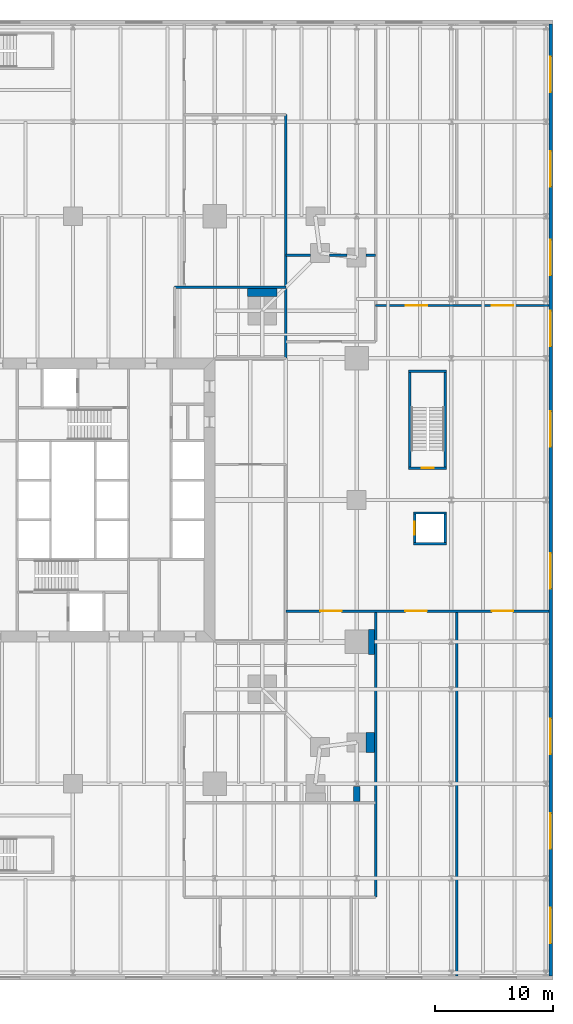
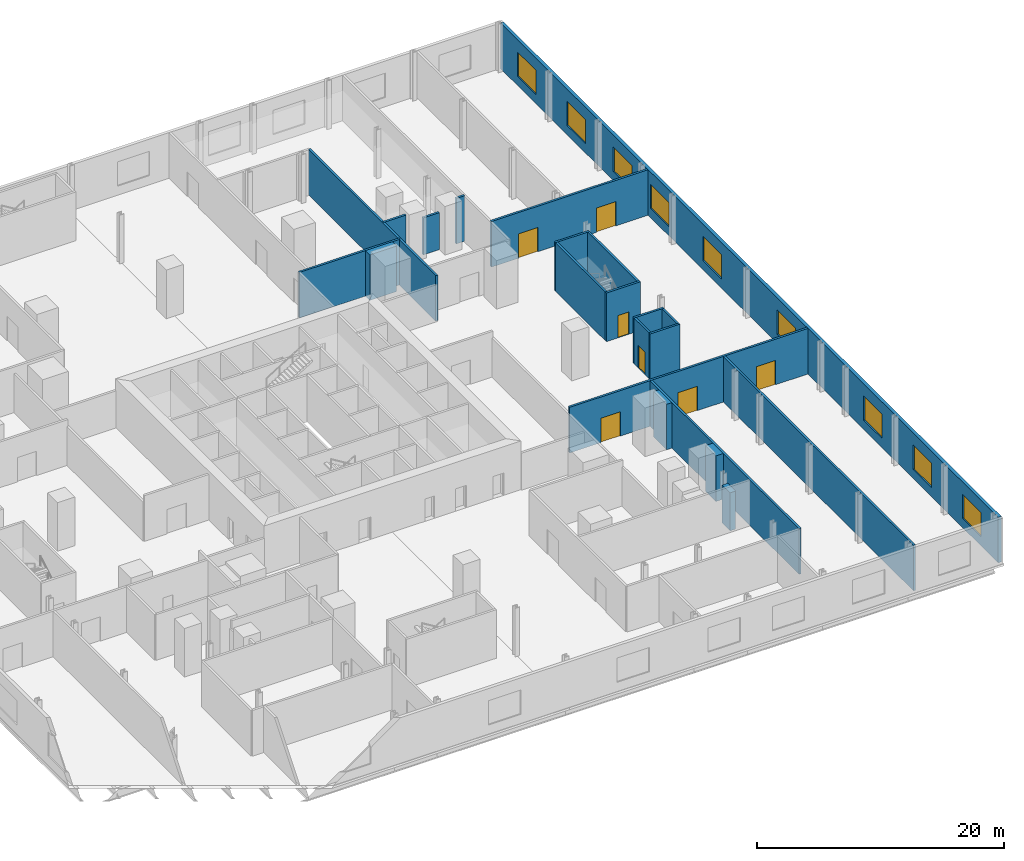
# One storey, part 13 of 16: 22 walls, 9 windows, 7 doors, 16 openings.
"""IFC4 building model written with IfcOpenShell, lengths in metres."""

from ifc_helpers import new_model, si_unit, direction, frame, frame_2d, origin, place, context, subcontext, project, spatial, rectangle, extrude, material, layer, layer_set, type_object, element, fill, save


model = new_model("IFC4")

# Units and contexts
model_context = context("Model", 3, precision=1e-05, world=origin(), true_north=direction((0.0, 1.0)))
body_context = subcontext(model_context, "Body", "Model", "MODEL_VIEW")
ifc_project = project(units=[si_unit("LENGTHUNIT", "METRE"), si_unit("AREAUNIT", "SQUARE_METRE"), si_unit("VOLUMEUNIT", "CUBIC_METRE"), si_unit("PLANEANGLEUNIT", "RADIAN"), si_unit("MASSUNIT", "GRAM", prefix="KILO")], contexts=[model_context])

# Site, building, storey
site_placement = place(None, origin())
site = spatial("IfcSite", under=ifc_project, at=site_placement, CompositionType="ELEMENT")
building_placement = place(site_placement, origin())
building = spatial("IfcBuilding", under=site, at=building_placement, Name="Fenwick Lantern Interchange", CompositionType="ELEMENT")
storey_placement = place(building_placement, frame((0.0, 0.0, 7.0)))
storey = spatial("IfcBuildingStorey", under=building, at=storey_placement, Name="L01", CompositionType="ELEMENT", Elevation=7.0)

# Walls
ifc_material_1 = material(Name="Fire-rated gypsum board encasement on steel studs, 2 hour", Category="steel")
ifc_layer_1 = layer(ifc_material_1, 1.699951171875)
ifc_layer_set_1 = layer_set([ifc_layer_1], Name="COLUMN PIER 1700")
wall_type_1 = type_object("IfcWallType", Name="COLUMN PIER 1700", PredefinedType="PARTITIONING", material=ifc_layer_set_1)
wall_1_placement = place(storey_placement, frame((50.5, 4.5, 0.0), z_axis=(0.0, 0.0, 1.0), x_axis=(-1.0, 0.0, 0.0)))
element("IfcWall", 1, at=wall_1_placement, inside=storey, type_object=wall_type_1, Name="L01/W/PIER/CE1", PredefinedType="PARTITIONING", context=body_context, shape_type="SweptSolid", body=[
    extrude(rectangle(XDim=0.699951171875, YDim=1.699951171875, at=frame_2d((0.35009765625, 0.0))), origin(), (0.0, 0.0, 1.0), 4.5),
])
ifc_layer_2 = layer(ifc_material_1, 2.10009765625)
ifc_layer_set_2 = layer_set([ifc_layer_2], Name="COLUMN PIER 2100")
wall_type_2 = type_object("IfcWallType", Name="COLUMN PIER 2100", PredefinedType="PARTITIONING", material=ifc_layer_set_2)
wall_2_placement = place(storey_placement, frame((50.5, 13.0, 0.0), z_axis=(0.0, 0.0, 1.0), x_axis=(-1.0, 0.0, 0.0)))
element("IfcWall", 2, at=wall_2_placement, inside=storey, type_object=wall_type_2, Name="L01/W/PIER/CE2", PredefinedType="PARTITIONING", context=body_context, shape_type="SweptSolid", body=[
    extrude(rectangle(XDim=0.5, YDim=2.10009765625, at=frame_2d((0.25, 0.0))), origin(), (0.0, 0.0, 1.0), 4.5),
])
ifc_layer_3 = layer(ifc_material_1, 2.5)
ifc_layer_set_3 = layer_set([ifc_layer_3], Name="COLUMN PIER 2500")
wall_type_3 = type_object("IfcWallType", Name="COLUMN PIER 2500", PredefinedType="PARTITIONING", material=ifc_layer_set_3)
wall_3_placement = place(storey_placement, frame((41.0, 42.89990234375, 0.0), z_axis=(0.0, 0.0, 1.0), x_axis=(0.0, -1.0, 0.0)))
element("IfcWall", 3, at=wall_3_placement, inside=storey, type_object=wall_type_3, Name="L01/W/PIER/M3", PredefinedType="PARTITIONING", context=body_context, shape_type="SweptSolid", body=[
    extrude(rectangle(XDim=0.699951171875, YDim=2.5, at=frame_2d((0.35009765625, 0.0))), origin(), (0.0, 0.0, 1.0), 4.5),
])
ifc_layer_4 = layer(ifc_material_1, 0.51708984375)
ifc_layer_set_4 = layer_set([ifc_layer_4], Name="COLUMN PIER 517")
wall_type_4 = type_object("IfcWallType", Name="COLUMN PIER 517", PredefinedType="PARTITIONING", material=ifc_layer_set_4)
wall_4_placement = place(storey_placement, frame((49.0, -0.5, 0.0), z_axis=(0.0, 0.0, 1.0), x_axis=(0.0, 1.0, 0.0)))
element("IfcWall", 4, at=wall_4_placement, inside=storey, type_object=wall_type_4, Name="L01/W/PIER/PC9", PredefinedType="PARTITIONING", context=body_context, shape_type="SweptSolid", body=[
    extrude(rectangle(XDim=1.27783203125, YDim=0.51708984375, at=frame_2d((0.638916015625, 0.0))), origin(), (0.0, 0.0, 1.0), 3.754150390625),
])
ifc_material_2 = material(Name="Concrete masonry ASTM C90 Grade N", Category="masonry")
ifc_layer_5 = layer(ifc_material_2, 0.199951171875)
ifc_layer_set_5 = layer_set([ifc_layer_5], Name="Concrete masonry ASTM C90 Grade N")
wall_type_5 = type_object("IfcWallType", Name="LIFT SHAFT WALL 200", PredefinedType="PARTITIONING", material=ifc_layer_set_5)
wall_5_placement = place(storey_placement, frame((53.800048828125, 21.300048828125, 0.0), z_axis=(0.0, 0.0, 1.0), x_axis=(1.0, 0.0, 0.0)))
element("IfcWall", 5, at=wall_5_placement, inside=storey, type_object=wall_type_5, Name="L01/W/PL2/S", PredefinedType="PARTITIONING", context=body_context, shape_type="SweptSolid", body=[
    extrude(rectangle(XDim=2.800048828125, YDim=0.199951171875, at=frame_2d((1.39990234375, 0.0))), origin(), (0.0, 0.0, 1.0), 4.5),
])
wall_6_placement = place(storey_placement, frame((56.5, 21.39990234375, 0.0), z_axis=(0.0, 0.0, 1.0), x_axis=(0.0, 1.0, 0.0)))
element("IfcWall", 6, at=wall_6_placement, inside=storey, type_object=wall_type_5, Name="L01/W/PL2/E", PredefinedType="PARTITIONING", context=body_context, shape_type="SweptSolid", body=[
    extrude(rectangle(XDim=2.400146484375, YDim=0.199951171875, at=frame_2d((1.2001953125, 0.0))), origin(), (0.0, 0.0, 1.0), 4.5),
])
wall_7_placement = place(storey_placement, frame((56.60009765625, 23.89990234375, 0.0), z_axis=(0.0, 0.0, 1.0), x_axis=(-1.0, 0.0, 0.0)))
element("IfcWall", 7, at=wall_7_placement, inside=storey, type_object=wall_type_5, Name="L01/W/PL2/N", PredefinedType="PARTITIONING", context=body_context, shape_type="SweptSolid", body=[
    extrude(rectangle(XDim=2.800048828125, YDim=0.199951171875, at=frame_2d((1.39990234375, 0.0))), origin(), (0.0, 0.0, 1.0), 4.5),
])

# Wall, opening, door
wall_8_placement = place(storey_placement, frame((53.89990234375, 23.800048828125, 0.0), z_axis=(0.0, 0.0, 1.0), x_axis=(0.0, -1.0, 0.0)))
wall_8 = element("IfcWall", 8, at=wall_8_placement, inside=storey, type_object=wall_type_5, Name="L01/W/PL2/W", PredefinedType="PARTITIONING", context=body_context, shape_type="SweptSolid", body=[
    extrude(rectangle(XDim=2.400146484375, YDim=0.199951171875, at=frame_2d((1.2001953125, 0.0))), origin(), (0.0, 0.0, 1.0), 4.5),
])
opening_1_placement = place(wall_8_placement, frame((0.64990234375, 0.0, 0.0)))
opening_1 = element("IfcOpeningElement", 9, at=opening_1_placement, cuts=wall_8, Name="Opening LD-PL2", PredefinedType="OPENING", context=body_context, shape_type="SweptSolid", body=[
    extrude(rectangle(XDim=1.10009765625, YDim=2.199951171875, at=frame_2d((0.550048828125, 1.10009765625))), frame((0.0, 0.10986328125, 0.0), z_axis=(0.0, -1.0, 0.0), x_axis=(1.0, 0.0, 0.0)), (0.0, 0.0, 1.0), 0.219970703125),
])
ifc_material_3 = material(Name="Steel door and frame", Category="steel")
door_type_1 = type_object("IfcDoorType", Name="LIFT LANDING DOOR 1100 X 2200", OperationType="DOUBLE_DOOR_SLIDING", PredefinedType="DOOR", material=ifc_material_3)
door_1_placement = place(opening_1_placement, origin())
door_1 = element("IfcDoor", 10, at=door_1_placement, inside=storey, type_object=door_type_1, Name="Lift landing door PL2", OperationType="DOUBLE_DOOR_SLIDING", OverallHeight=2.199951171875, OverallWidth=1.10009765625, PredefinedType="DOOR", context=body_context, shape_type="SweptSolid", body=[
    extrude(rectangle(XDim=1.10009765625, YDim=2.199951171875, at=frame_2d((0.550048828125, 1.10009765625))), frame((0.0, 0.02490234375, 0.0), z_axis=(0.0, -1.0, 0.0), x_axis=(1.0, 0.0, 0.0)), (0.0, 0.0, 1.0), 0.050048828125),
])
fill(opening_1, door_1)

# Wall, openings, windows
ifc_material_4 = material(Name="Limestone ASTM C568 Classification II", Category="masonry")
ifc_layer_6 = layer(ifc_material_4, 0.074951171875)
ifc_material_5 = material(Name="Mineral wool insulation")
ifc_layer_7 = layer(ifc_material_5, 0.125)
ifc_material_6 = material(Name="Cold-formed galvanised steel studs", Category="steel")
ifc_layer_8 = layer(ifc_material_6, 0.10009765625)
ifc_layer_set_6 = layer_set([ifc_layer_6, ifc_layer_7, ifc_layer_8], Name="Limestone ASTM C568 Classification II")
wall_type_6 = type_object("IfcWallType", Name="LIMESTONE RAINSCREEN WALL 300", PredefinedType="SOLIDWALL", material=ifc_layer_set_6)
wall_9_placement = place(storey_placement, frame((65.39990234375, -15.25, 0.0), z_axis=(0.0, 0.0, 1.0), x_axis=(0.0, 1.0, 0.0)))
wall_9 = element("IfcWall", 11, at=wall_9_placement, inside=storey, type_object=wall_type_6, Name="L01/EW/E", PredefinedType="SOLIDWALL", context=body_context, shape_type="SweptSolid", body=[
    extrude(rectangle(XDim=80.5, YDim=0.300048828125, at=frame_2d((40.25, 0.0))), origin(), (0.0, 0.0, 1.0), 4.5),
])
opening_2_placement = place(wall_9_placement, frame((2.75, 0.0, 0.89990234375)))
opening_2 = element("IfcOpeningElement", 12, at=opening_2_placement, cuts=wall_9, Name="Opening W1", PredefinedType="OPENING", context=body_context, shape_type="SweptSolid", body=[
    extrude(rectangle(XDim=3.0, YDim=2.39990234375, at=frame_2d((1.5, 1.199951171875))), frame((0.0, 0.159912109375, 0.0), z_axis=(0.0, -1.0, 0.0), x_axis=(1.0, 0.0, 0.0)), (0.0, 0.0, 1.0), 0.320068359375),
])
opening_3_placement = place(wall_9_placement, frame((10.75, 0.0, 0.89990234375)))
opening_3 = element("IfcOpeningElement", 13, at=opening_3_placement, cuts=wall_9, Name="Opening W1", PredefinedType="OPENING", context=body_context, shape_type="SweptSolid", body=[
    extrude(rectangle(XDim=3.0, YDim=2.39990234375, at=frame_2d((1.5, 1.199951171875))), frame((0.0, 0.159912109375, 0.0), z_axis=(0.0, -1.0, 0.0), x_axis=(1.0, 0.0, 0.0)), (0.0, 0.0, 1.0), 0.320068359375),
])
opening_4_placement = place(wall_9_placement, frame((18.75, 0.0, 0.89990234375)))
opening_4 = element("IfcOpeningElement", 14, at=opening_4_placement, cuts=wall_9, Name="Opening W1", PredefinedType="OPENING", context=body_context, shape_type="SweptSolid", body=[
    extrude(rectangle(XDim=3.0, YDim=2.39990234375, at=frame_2d((1.5, 1.199951171875))), frame((0.0, 0.159912109375, 0.0), z_axis=(0.0, -1.0, 0.0), x_axis=(1.0, 0.0, 0.0)), (0.0, 0.0, 1.0), 0.320068359375),
])
opening_5_placement = place(wall_9_placement, frame((32.75, 0.0, 0.89990234375)))
opening_5 = element("IfcOpeningElement", 15, at=opening_5_placement, cuts=wall_9, Name="Opening W1", PredefinedType="OPENING", context=body_context, shape_type="SweptSolid", body=[
    extrude(rectangle(XDim=3.0, YDim=2.39990234375, at=frame_2d((1.5, 1.199951171875))), frame((0.0, 0.159912109375, 0.0), z_axis=(0.0, -1.0, 0.0), x_axis=(1.0, 0.0, 0.0)), (0.0, 0.0, 1.0), 0.320068359375),
])
opening_6_placement = place(wall_9_placement, frame((44.75, 0.0, 0.89990234375)))
opening_6 = element("IfcOpeningElement", 16, at=opening_6_placement, cuts=wall_9, Name="Opening W1", PredefinedType="OPENING", context=body_context, shape_type="SweptSolid", body=[
    extrude(rectangle(XDim=3.0, YDim=2.39990234375, at=frame_2d((1.5, 1.199951171875))), frame((0.0, 0.159912109375, 0.0), z_axis=(0.0, -1.0, 0.0), x_axis=(1.0, 0.0, 0.0)), (0.0, 0.0, 1.0), 0.320068359375),
])
opening_7_placement = place(wall_9_placement, frame((53.25, 0.0, 0.89990234375)))
opening_7 = element("IfcOpeningElement", 17, at=opening_7_placement, cuts=wall_9, Name="Opening W1", PredefinedType="OPENING", context=body_context, shape_type="SweptSolid", body=[
    extrude(rectangle(XDim=3.0, YDim=2.39990234375, at=frame_2d((1.5, 1.199951171875))), frame((0.0, 0.159912109375, 0.0), z_axis=(0.0, -1.0, 0.0), x_axis=(1.0, 0.0, 0.0)), (0.0, 0.0, 1.0), 0.320068359375),
])
opening_8_placement = place(wall_9_placement, frame((59.25, 0.0, 0.89990234375)))
opening_8 = element("IfcOpeningElement", 18, at=opening_8_placement, cuts=wall_9, Name="Opening W1", PredefinedType="OPENING", context=body_context, shape_type="SweptSolid", body=[
    extrude(rectangle(XDim=3.0, YDim=2.39990234375, at=frame_2d((1.5, 1.199951171875))), frame((0.0, 0.159912109375, 0.0), z_axis=(0.0, -1.0, 0.0), x_axis=(1.0, 0.0, 0.0)), (0.0, 0.0, 1.0), 0.320068359375),
])
opening_9_placement = place(wall_9_placement, frame((66.75, 0.0, 0.89990234375)))
opening_9 = element("IfcOpeningElement", 19, at=opening_9_placement, cuts=wall_9, Name="Opening W1", PredefinedType="OPENING", context=body_context, shape_type="SweptSolid", body=[
    extrude(rectangle(XDim=3.0, YDim=2.39990234375, at=frame_2d((1.5, 1.199951171875))), frame((0.0, 0.159912109375, 0.0), z_axis=(0.0, -1.0, 0.0), x_axis=(1.0, 0.0, 0.0)), (0.0, 0.0, 1.0), 0.320068359375),
])
opening_10_placement = place(wall_9_placement, frame((74.75, 0.0, 0.89990234375)))
opening_10 = element("IfcOpeningElement", 20, at=opening_10_placement, cuts=wall_9, Name="Opening W1", PredefinedType="OPENING", context=body_context, shape_type="SweptSolid", body=[
    extrude(rectangle(XDim=3.0, YDim=2.39990234375, at=frame_2d((1.5, 1.199951171875))), frame((0.0, 0.159912109375, 0.0), z_axis=(0.0, -1.0, 0.0), x_axis=(1.0, 0.0, 0.0)), (0.0, 0.0, 1.0), 0.320068359375),
])
ifc_material_7 = material(Name="Aluminium window, clear glass", Category="aluminium")
window_type = type_object("IfcWindowType", Name="PODIUM WINDOW 3000 X 2400", PartitioningType="SINGLE_PANEL", PredefinedType="WINDOW", material=ifc_material_7)
window_1_placement = place(opening_2_placement, origin())
window_1 = element("IfcWindow", 21, at=window_1_placement, inside=storey, type_object=window_type, Name="Podium window", OverallHeight=2.39990234375, OverallWidth=3.0, PartitioningType="SINGLE_PANEL", PredefinedType="WINDOW", context=body_context, shape_type="SweptSolid", body=[
    extrude(rectangle(XDim=3.0, YDim=2.39990234375, at=frame_2d((1.5, 1.199951171875))), frame((0.0, 0.030029296875, 0.0), z_axis=(0.0, -1.0, 0.0), x_axis=(1.0, 0.0, 0.0)), (0.0, 0.0, 1.0), 0.06005859375),
])
fill(opening_2, window_1)
window_2_placement = place(opening_3_placement, origin())
window_2 = element("IfcWindow", 22, at=window_2_placement, inside=storey, type_object=window_type, Name="Podium window", OverallHeight=2.39990234375, OverallWidth=3.0, PartitioningType="SINGLE_PANEL", PredefinedType="WINDOW", context=body_context, shape_type="SweptSolid", body=[
    extrude(rectangle(XDim=3.0, YDim=2.39990234375, at=frame_2d((1.5, 1.199951171875))), frame((0.0, 0.030029296875, 0.0), z_axis=(0.0, -1.0, 0.0), x_axis=(1.0, 0.0, 0.0)), (0.0, 0.0, 1.0), 0.06005859375),
])
fill(opening_3, window_2)
window_3_placement = place(opening_4_placement, origin())
window_3 = element("IfcWindow", 23, at=window_3_placement, inside=storey, type_object=window_type, Name="Podium window", OverallHeight=2.39990234375, OverallWidth=3.0, PartitioningType="SINGLE_PANEL", PredefinedType="WINDOW", context=body_context, shape_type="SweptSolid", body=[
    extrude(rectangle(XDim=3.0, YDim=2.39990234375, at=frame_2d((1.5, 1.199951171875))), frame((0.0, 0.030029296875, 0.0), z_axis=(0.0, -1.0, 0.0), x_axis=(1.0, 0.0, 0.0)), (0.0, 0.0, 1.0), 0.06005859375),
])
fill(opening_4, window_3)
window_4_placement = place(opening_5_placement, origin())
window_4 = element("IfcWindow", 24, at=window_4_placement, inside=storey, type_object=window_type, Name="Podium window", OverallHeight=2.39990234375, OverallWidth=3.0, PartitioningType="SINGLE_PANEL", PredefinedType="WINDOW", context=body_context, shape_type="SweptSolid", body=[
    extrude(rectangle(XDim=3.0, YDim=2.39990234375, at=frame_2d((1.5, 1.199951171875))), frame((0.0, 0.030029296875, 0.0), z_axis=(0.0, -1.0, 0.0), x_axis=(1.0, 0.0, 0.0)), (0.0, 0.0, 1.0), 0.06005859375),
])
fill(opening_5, window_4)
window_5_placement = place(opening_6_placement, origin())
window_5 = element("IfcWindow", 25, at=window_5_placement, inside=storey, type_object=window_type, Name="Podium window", OverallHeight=2.39990234375, OverallWidth=3.0, PartitioningType="SINGLE_PANEL", PredefinedType="WINDOW", context=body_context, shape_type="SweptSolid", body=[
    extrude(rectangle(XDim=3.0, YDim=2.39990234375, at=frame_2d((1.5, 1.199951171875))), frame((0.0, 0.030029296875, 0.0), z_axis=(0.0, -1.0, 0.0), x_axis=(1.0, 0.0, 0.0)), (0.0, 0.0, 1.0), 0.06005859375),
])
fill(opening_6, window_5)
window_6_placement = place(opening_7_placement, origin())
window_6 = element("IfcWindow", 26, at=window_6_placement, inside=storey, type_object=window_type, Name="Podium window", OverallHeight=2.39990234375, OverallWidth=3.0, PartitioningType="SINGLE_PANEL", PredefinedType="WINDOW", context=body_context, shape_type="SweptSolid", body=[
    extrude(rectangle(XDim=3.0, YDim=2.39990234375, at=frame_2d((1.5, 1.199951171875))), frame((0.0, 0.030029296875, 0.0), z_axis=(0.0, -1.0, 0.0), x_axis=(1.0, 0.0, 0.0)), (0.0, 0.0, 1.0), 0.06005859375),
])
fill(opening_7, window_6)
window_7_placement = place(opening_8_placement, origin())
window_7 = element("IfcWindow", 27, at=window_7_placement, inside=storey, type_object=window_type, Name="Podium window", OverallHeight=2.39990234375, OverallWidth=3.0, PartitioningType="SINGLE_PANEL", PredefinedType="WINDOW", context=body_context, shape_type="SweptSolid", body=[
    extrude(rectangle(XDim=3.0, YDim=2.39990234375, at=frame_2d((1.5, 1.199951171875))), frame((0.0, 0.030029296875, 0.0), z_axis=(0.0, -1.0, 0.0), x_axis=(1.0, 0.0, 0.0)), (0.0, 0.0, 1.0), 0.06005859375),
])
fill(opening_8, window_7)
window_8_placement = place(opening_9_placement, origin())
window_8 = element("IfcWindow", 28, at=window_8_placement, inside=storey, type_object=window_type, Name="Podium window", OverallHeight=2.39990234375, OverallWidth=3.0, PartitioningType="SINGLE_PANEL", PredefinedType="WINDOW", context=body_context, shape_type="SweptSolid", body=[
    extrude(rectangle(XDim=3.0, YDim=2.39990234375, at=frame_2d((1.5, 1.199951171875))), frame((0.0, 0.030029296875, 0.0), z_axis=(0.0, -1.0, 0.0), x_axis=(1.0, 0.0, 0.0)), (0.0, 0.0, 1.0), 0.06005859375),
])
fill(opening_9, window_8)
window_9_placement = place(opening_10_placement, origin())
window_9 = element("IfcWindow", 29, at=window_9_placement, inside=storey, type_object=window_type, Name="Podium window", OverallHeight=2.39990234375, OverallWidth=3.0, PartitioningType="SINGLE_PANEL", PredefinedType="WINDOW", context=body_context, shape_type="SweptSolid", body=[
    extrude(rectangle(XDim=3.0, YDim=2.39990234375, at=frame_2d((1.5, 1.199951171875))), frame((0.0, 0.030029296875, 0.0), z_axis=(0.0, -1.0, 0.0), x_axis=(1.0, 0.0, 0.0)), (0.0, 0.0, 1.0), 0.06005859375),
])
fill(opening_10, window_9)

# Walls
ifc_material_8 = material(Name="Gypsum board on steel studs, 1 hour", Category="steel")
ifc_layer_9 = layer(ifc_material_8, 0.199951171875)
ifc_layer_set_7 = layer_set([ifc_layer_9], Name="ROOM WALL 200")
wall_type_7 = type_object("IfcWallType", Name="ROOM WALL 200", PredefinedType="PARTITIONING", material=ifc_layer_set_7)
wall_10_placement = place(storey_placement, frame((43.0, 37.0, 0.0), z_axis=(0.0, 0.0, 1.0), x_axis=(0.0, 1.0, 0.0)))
element("IfcWall", 30, at=wall_10_placement, inside=storey, type_object=wall_type_7, Name="L01/W/POD/X43-2", PredefinedType="PARTITIONING", context=body_context, shape_type="SweptSolid", body=[
    extrude(rectangle(XDim=20.60009765625, YDim=0.199951171875, at=frame_2d((10.300048828125, 0.0))), origin(), (0.0, 0.0, 1.0), 4.5),
])
wall_11_placement = place(storey_placement, frame((50.60009765625, -8.60009765625, 0.0), z_axis=(0.0, 0.0, 1.0), x_axis=(0.0, 1.0, 0.0)))
element("IfcWall", 31, at=wall_11_placement, inside=storey, type_object=wall_type_7, Name="L01/W/POD/X50.6-1", PredefinedType="PARTITIONING", context=body_context, shape_type="SweptSolid", body=[
    extrude(rectangle(XDim=24.2001953125, YDim=0.199951171875, at=frame_2d((12.10009765625, 0.0))), origin(), (0.0, 0.0, 1.0), 4.5),
])
wall_12_placement = place(storey_placement, frame((57.449951171875, -15.25, 0.0), z_axis=(0.0, 0.0, 1.0), x_axis=(0.0, 1.0, 0.0)))
element("IfcWall", 32, at=wall_12_placement, inside=storey, type_object=wall_type_7, Name="L01/W/POD/X57.45-1", PredefinedType="PARTITIONING", context=body_context, shape_type="SweptSolid", body=[
    extrude(rectangle(XDim=30.85009765625, YDim=0.199951171875, at=frame_2d((15.425048828125, 0.0))), origin(), (0.0, 0.0, 1.0), 4.5),
])

# Wall, openings, doors
wall_13_placement = place(storey_placement, frame((43.0, 15.60009765625, 0.0), z_axis=(0.0, 0.0, 1.0), x_axis=(1.0, 0.0, 0.0)))
wall_13 = element("IfcWall", 33, at=wall_13_placement, inside=storey, type_object=wall_type_7, Name="L01/W/POD/Y15.6-1", PredefinedType="PARTITIONING", context=body_context, shape_type="SweptSolid", body=[
    extrude(rectangle(XDim=22.25, YDim=0.199951171875, at=frame_2d((11.125, 0.0))), origin(), (0.0, 0.0, 1.0), 4.5),
])
opening_11_placement = place(wall_13_placement, frame((10.125, 0.0, 0.0)))
opening_11 = element("IfcOpeningElement", 34, at=opening_11_placement, cuts=wall_13, Name="Opening L01-D033", PredefinedType="OPENING", context=body_context, shape_type="SweptSolid", body=[
    extrude(rectangle(XDim=1.800048828125, YDim=2.39990234375, at=frame_2d((0.89990234375, 1.199951171875))), frame((0.0, 0.10986328125, 0.0), z_axis=(0.0, -1.0, 0.0), x_axis=(1.0, 0.0, 0.0)), (0.0, 0.0, 1.0), 0.219970703125),
])
opening_12_placement = place(wall_13_placement, frame((17.425048828125, 0.0, 0.0)))
opening_12 = element("IfcOpeningElement", 35, at=opening_12_placement, cuts=wall_13, Name="Opening L01-D034", PredefinedType="OPENING", context=body_context, shape_type="SweptSolid", body=[
    extrude(rectangle(XDim=1.800048828125, YDim=2.39990234375, at=frame_2d((0.89990234375, 1.199951171875))), frame((0.0, 0.10986328125, 0.0), z_axis=(0.0, -1.0, 0.0), x_axis=(1.0, 0.0, 0.0)), (0.0, 0.0, 1.0), 0.219970703125),
])
opening_13_placement = place(wall_13_placement, frame((2.925048828125, 0.0, 0.0)))
opening_13 = element("IfcOpeningElement", 36, at=opening_13_placement, cuts=wall_13, Name="Opening L01-D035", PredefinedType="OPENING", context=body_context, shape_type="SweptSolid", body=[
    extrude(rectangle(XDim=1.800048828125, YDim=2.39990234375, at=frame_2d((0.89990234375, 1.199951171875))), frame((0.0, 0.10986328125, 0.0), z_axis=(0.0, -1.0, 0.0), x_axis=(1.0, 0.0, 0.0)), (0.0, 0.0, 1.0), 0.219970703125),
])
door_type_2 = type_object("IfcDoorType", Name="ROOM DOOR PAIR 1800 X 2400", OperationType="DOUBLE_DOOR_SINGLE_SWING", PredefinedType="DOOR", material=ifc_material_3)
door_2_placement = place(opening_11_placement, origin())
door_2 = element("IfcDoor", 37, at=door_2_placement, inside=storey, type_object=door_type_2, Name="Room door pair", OperationType="DOUBLE_DOOR_SINGLE_SWING", OverallHeight=2.39990234375, OverallWidth=1.800048828125, PredefinedType="DOOR", context=body_context, shape_type="SweptSolid", body=[
    extrude(rectangle(XDim=1.800048828125, YDim=2.39990234375, at=frame_2d((0.89990234375, 1.199951171875))), frame((0.0, 0.02490234375, 0.0), z_axis=(0.0, -1.0, 0.0), x_axis=(1.0, 0.0, 0.0)), (0.0, 0.0, 1.0), 0.050048828125),
])
fill(opening_11, door_2)
door_3_placement = place(opening_12_placement, origin())
door_3 = element("IfcDoor", 38, at=door_3_placement, inside=storey, type_object=door_type_2, Name="Room door pair", OperationType="DOUBLE_DOOR_SINGLE_SWING", OverallHeight=2.39990234375, OverallWidth=1.800048828125, PredefinedType="DOOR", context=body_context, shape_type="SweptSolid", body=[
    extrude(rectangle(XDim=1.800048828125, YDim=2.39990234375, at=frame_2d((0.89990234375, 1.199951171875))), frame((0.0, 0.02490234375, 0.0), z_axis=(0.0, -1.0, 0.0), x_axis=(1.0, 0.0, 0.0)), (0.0, 0.0, 1.0), 0.050048828125),
])
fill(opening_12, door_3)
door_4_placement = place(opening_13_placement, origin())
door_4 = element("IfcDoor", 39, at=door_4_placement, inside=storey, type_object=door_type_2, Name="Room door pair", OperationType="DOUBLE_DOOR_SINGLE_SWING", OverallHeight=2.39990234375, OverallWidth=1.800048828125, PredefinedType="DOOR", context=body_context, shape_type="SweptSolid", body=[
    extrude(rectangle(XDim=1.800048828125, YDim=2.39990234375, at=frame_2d((0.89990234375, 1.199951171875))), frame((0.0, 0.02490234375, 0.0), z_axis=(0.0, -1.0, 0.0), x_axis=(1.0, 0.0, 0.0)), (0.0, 0.0, 1.0), 0.050048828125),
])
fill(opening_13, door_4)

wall_14_placement = place(storey_placement, frame((50.60009765625, 41.449951171875, 0.0), z_axis=(0.0, 0.0, 1.0), x_axis=(1.0, 0.0, 0.0)))
wall_14 = element("IfcWall", 40, at=wall_14_placement, inside=storey, type_object=wall_type_7, Name="L01/W/POD/Y41.45-1", PredefinedType="PARTITIONING", context=body_context, shape_type="SweptSolid", body=[
    extrude(rectangle(XDim=14.64990234375, YDim=0.199951171875, at=frame_2d((7.324951171875, 0.0))), origin(), (0.0, 0.0, 1.0), 4.5),
])
opening_14_placement = place(wall_14_placement, frame((2.550048828125, 0.0, 0.0)))
opening_14 = element("IfcOpeningElement", 41, at=opening_14_placement, cuts=wall_14, Name="Opening L01-D038", PredefinedType="OPENING", context=body_context, shape_type="SweptSolid", body=[
    extrude(rectangle(XDim=1.800048828125, YDim=2.39990234375, at=frame_2d((0.89990234375, 1.199951171875))), frame((0.0, 0.10986328125, 0.0), z_axis=(0.0, -1.0, 0.0), x_axis=(1.0, 0.0, 0.0)), (0.0, 0.0, 1.0), 0.219970703125),
])
opening_15_placement = place(wall_14_placement, frame((9.824951171875, 0.0, 0.0)))
opening_15 = element("IfcOpeningElement", 42, at=opening_15_placement, cuts=wall_14, Name="Opening L01-D039", PredefinedType="OPENING", context=body_context, shape_type="SweptSolid", body=[
    extrude(rectangle(XDim=1.800048828125, YDim=2.39990234375, at=frame_2d((0.89990234375, 1.199951171875))), frame((0.0, 0.10986328125, 0.0), z_axis=(0.0, -1.0, 0.0), x_axis=(1.0, 0.0, 0.0)), (0.0, 0.0, 1.0), 0.219970703125),
])
door_5_placement = place(opening_14_placement, frame((1.800048828125, 0.0, 0.0), z_axis=(0.0, 0.0, 1.0), x_axis=(-1.0, 0.0, 0.0)))
door_5 = element("IfcDoor", 43, at=door_5_placement, inside=storey, type_object=door_type_2, Name="Room door pair", OperationType="DOUBLE_DOOR_SINGLE_SWING", OverallHeight=2.39990234375, OverallWidth=1.800048828125, PredefinedType="DOOR", context=body_context, shape_type="SweptSolid", body=[
    extrude(rectangle(XDim=1.800048828125, YDim=2.39990234375, at=frame_2d((0.89990234375, 1.199951171875))), frame((0.0, 0.02490234375, 0.0), z_axis=(0.0, -1.0, 0.0), x_axis=(1.0, 0.0, 0.0)), (0.0, 0.0, 1.0), 0.050048828125),
])
fill(opening_14, door_5)
door_6_placement = place(opening_15_placement, frame((1.800048828125, 0.0, 0.0), z_axis=(0.0, 0.0, 1.0), x_axis=(-1.0, 0.0, 0.0)))
door_6 = element("IfcDoor", 44, at=door_6_placement, inside=storey, type_object=door_type_2, Name="Room door pair", OperationType="DOUBLE_DOOR_SINGLE_SWING", OverallHeight=2.39990234375, OverallWidth=1.800048828125, PredefinedType="DOOR", context=body_context, shape_type="SweptSolid", body=[
    extrude(rectangle(XDim=1.800048828125, YDim=2.39990234375, at=frame_2d((0.89990234375, 1.199951171875))), frame((0.0, 0.02490234375, 0.0), z_axis=(0.0, -1.0, 0.0), x_axis=(1.0, 0.0, 0.0)), (0.0, 0.0, 1.0), 0.050048828125),
])
fill(opening_15, door_6)

# Walls
wall_15_placement = place(storey_placement, frame((33.60009765625, 43.0, 0.0), z_axis=(0.0, 0.0, 1.0), x_axis=(1.0, 0.0, 0.0)))
element("IfcWall", 45, at=wall_15_placement, inside=storey, type_object=wall_type_7, Name="L01/W/POD/Y43-2", PredefinedType="PARTITIONING", context=body_context, shape_type="SweptSolid", body=[
    extrude(rectangle(XDim=9.39990234375, YDim=0.199951171875, at=frame_2d((4.699951171875, 0.0))), origin(), (0.0, 0.0, 1.0), 4.5),
])
wall_16_placement = place(storey_placement, frame((43.0, 45.699951171875, 0.0), z_axis=(0.0, 0.0, 1.0), x_axis=(1.0, 0.0, 0.0)))
element("IfcWall", 46, at=wall_16_placement, inside=storey, type_object=wall_type_7, Name="L01/W/POD/Y45.7-1", PredefinedType="PARTITIONING", context=body_context, shape_type="SweptSolid", body=[
    extrude(rectangle(XDim=2.10009765625, YDim=0.199951171875, at=frame_2d((1.050048828125, 0.0))), origin(), (0.0, 0.0, 1.0), 4.5),
])
wall_17_placement = place(storey_placement, frame((46.699951171875, 45.699951171875, 0.0), z_axis=(0.0, 0.0, 1.0), x_axis=(1.0, 0.0, 0.0)))
element("IfcWall", 47, at=wall_17_placement, inside=storey, type_object=wall_type_7, Name="L01/W/POD/Y45.7-2", PredefinedType="PARTITIONING", context=body_context, shape_type="SweptSolid", body=[
    extrude(rectangle(XDim=1.5, YDim=0.199951171875, at=frame_2d((0.75, 0.0))), origin(), (0.0, 0.0, 1.0), 3.650146484375),
])
wall_18_placement = place(storey_placement, frame((49.800048828125, 45.699951171875, 0.0), z_axis=(0.0, 0.0, 1.0), x_axis=(1.0, 0.0, 0.0)))
element("IfcWall", 48, at=wall_18_placement, inside=storey, type_object=wall_type_7, Name="L01/W/POD/Y45.7-3", PredefinedType="PARTITIONING", context=body_context, shape_type="SweptSolid", body=[
    extrude(rectangle(XDim=0.800048828125, YDim=0.199951171875, at=frame_2d((0.39990234375, 0.0))), origin(), (0.0, 0.0, 1.0), 4.5),
])

# Wall, opening, door
ifc_material_9 = material(Name="Reinforced concrete masonry ASTM C90 Grade N", Category="masonry")
ifc_layer_10 = layer(ifc_material_9, 0.199951171875)
ifc_layer_set_8 = layer_set([ifc_layer_10], Name="Reinforced concrete masonry ASTM C90 Grade N")
wall_type_8 = type_object("IfcWallType", Name="STAIR ENCLOSURE 200", PredefinedType="SOLIDWALL", material=ifc_layer_set_8)
wall_19_placement = place(storey_placement, frame((53.39990234375, 27.699951171875, 0.0), z_axis=(0.0, 0.0, 1.0), x_axis=(1.0, 0.0, 0.0)))
wall_19 = element("IfcWall", 49, at=wall_19_placement, inside=storey, type_object=wall_type_8, Name="L01/W/PS4/S", PredefinedType="SOLIDWALL", context=body_context, shape_type="SweptSolid", body=[
    extrude(rectangle(XDim=3.2001953125, YDim=0.199951171875, at=frame_2d((1.60009765625, 0.0))), origin(), (0.0, 0.0, 1.0), 4.800048828125),
])
opening_16_placement = place(wall_19_placement, frame((1.10009765625, 0.0, 0.0)))
opening_16 = element("IfcOpeningElement", 50, at=opening_16_placement, cuts=wall_19, Name="Opening L01-D022", PredefinedType="OPENING", context=body_context, shape_type="SweptSolid", body=[
    extrude(rectangle(XDim=1.0, YDim=2.199951171875, at=frame_2d((0.5, 1.10009765625))), frame((0.0, 0.10986328125, 0.0), z_axis=(0.0, -1.0, 0.0), x_axis=(1.0, 0.0, 0.0)), (0.0, 0.0, 1.0), 0.219970703125),
])
door_type_3 = type_object("IfcDoorType", Name="STAIR DOOR 1000 X 2200", OperationType="SINGLE_SWING_LEFT", PredefinedType="DOOR", material=ifc_material_3)
door_7_placement = place(opening_16_placement, origin())
door_7 = element("IfcDoor", 51, at=door_7_placement, inside=storey, type_object=door_type_3, Name="Stair door", OperationType="SINGLE_SWING_LEFT", OverallHeight=2.199951171875, OverallWidth=1.0, PredefinedType="DOOR", context=body_context, shape_type="SweptSolid", body=[
    extrude(rectangle(XDim=1.0, YDim=2.199951171875, at=frame_2d((0.5, 1.10009765625))), frame((0.0, 0.02490234375, 0.0), z_axis=(0.0, -1.0, 0.0), x_axis=(1.0, 0.0, 0.0)), (0.0, 0.0, 1.0), 0.050048828125),
])
fill(opening_16, door_7)

# Walls
wall_20_placement = place(storey_placement, frame((56.5, 27.800048828125, 0.0), z_axis=(0.0, 0.0, 1.0), x_axis=(0.0, 1.0, 0.0)))
element("IfcWall", 52, at=wall_20_placement, inside=storey, type_object=wall_type_8, Name="L01/W/PS4/E", PredefinedType="SOLIDWALL", context=body_context, shape_type="SweptSolid", body=[
    extrude(rectangle(XDim=8.0, YDim=0.199951171875, at=frame_2d((4.0, 0.0))), origin(), (0.0, 0.0, 1.0), 4.800048828125),
])
wall_21_placement = place(storey_placement, frame((56.60009765625, 35.89990234375, 0.0), z_axis=(0.0, 0.0, 1.0), x_axis=(-1.0, 0.0, 0.0)))
element("IfcWall", 53, at=wall_21_placement, inside=storey, type_object=wall_type_8, Name="L01/W/PS4/N", PredefinedType="SOLIDWALL", context=body_context, shape_type="SweptSolid", body=[
    extrude(rectangle(XDim=3.2001953125, YDim=0.199951171875, at=frame_2d((1.60009765625, 0.0))), origin(), (0.0, 0.0, 1.0), 4.800048828125),
])
wall_22_placement = place(storey_placement, frame((53.5, 35.800048828125, 0.0), z_axis=(0.0, 0.0, 1.0), x_axis=(0.0, -1.0, 0.0)))
element("IfcWall", 54, at=wall_22_placement, inside=storey, type_object=wall_type_8, Name="L01/W/PS4/W", PredefinedType="SOLIDWALL", context=body_context, shape_type="SweptSolid", body=[
    extrude(rectangle(XDim=8.0, YDim=0.199951171875, at=frame_2d((4.0, 0.0))), origin(), (0.0, 0.0, 1.0), 4.800048828125),
])

save(model, "model.ifc")
